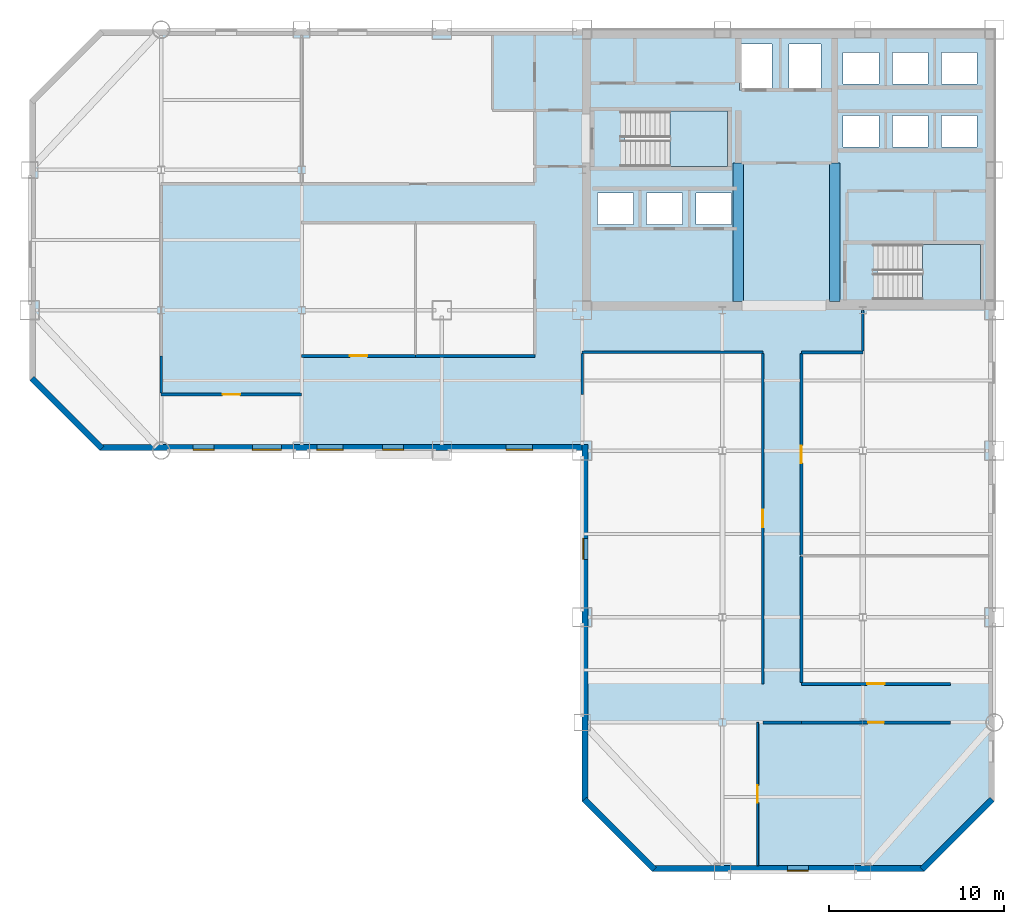
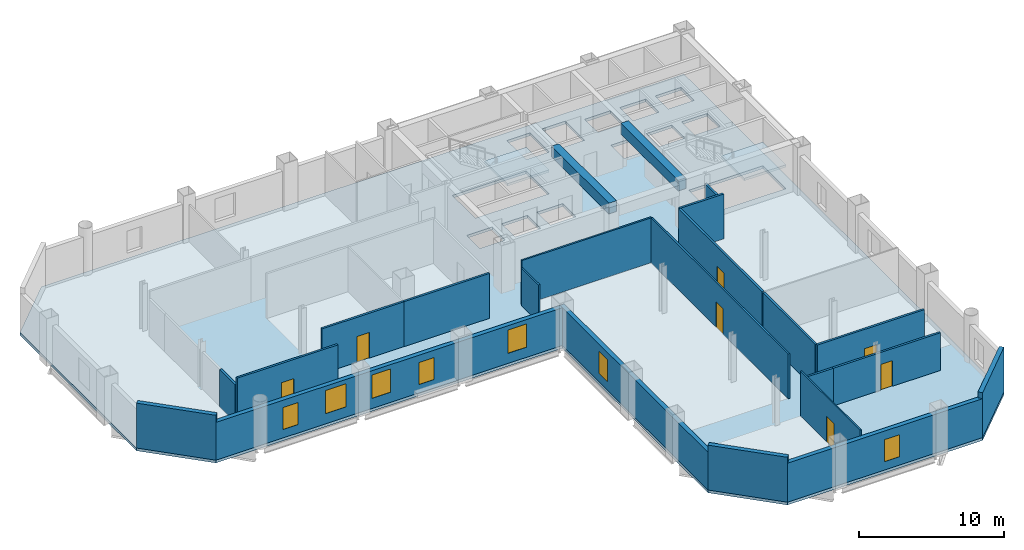
# One storey, part 5 of 9: 21 walls, 7 doors, 7 windows, 3 slabs, 2 beams, 14 openings, 2 elements without a shape of their own.
"""IFC4 building model written with IfcOpenShell, lengths in metres."""

import ifcopenshell
import ifcopenshell.guid

model = None  # the IFC model being written
_history = None  # IfcOwnerHistory: only IFC2X3 demands one
_inside = {}  # id of a spatial element -> (the spatial element, [elements in it])
_under = {}  # id of a project, library or spatial element -> (it, [spatial elements below it])
_declared = {}  # id of a project -> (the project, [libraries it declares])
_typed = {}  # id of a type object -> (the type object, [elements of that type])
_made_of = {}  # id of a material, layer set ... -> (it, [elements and type objects made of it])


def new_model(schema):
    """Start an empty IFC model of exactly this schema.

    Asked for "IFC4X3", IfcOpenShell would pick the latest addendum, in which some entities
    have other attributes; the version numbers below select the first issue.
    IFC2X3 requires an IfcOwnerHistory on every rooted entity: one is made here for all.
    """
    global model, _history
    if schema == "IFC4X3":
        model = ifcopenshell.file(schema_version=(4, 3, 0, 0))
    else:
        model = ifcopenshell.file(schema=schema)
    _inside.clear()
    _under.clear()
    _declared.clear()
    _typed.clear()
    _made_of.clear()
    _history = None
    if model.schema == "IFC2X3":
        org = make("IfcOrganization", Name="unknown")
        user = make(
            "IfcPersonAndOrganization",
            ThePerson=make("IfcPerson", FamilyName="unknown"),
            TheOrganization=org,
        )
        app = make(
            "IfcApplication",
            ApplicationDeveloper=org,
            Version="unknown",
            ApplicationFullName="unknown",
            ApplicationIdentifier="unknown",
        )
        _history = make(
            "IfcOwnerHistory",
            OwningUser=user,
            OwningApplication=app,
            ChangeAction="ADDED",
            CreationDate=0,
        )
    return model


def make(cls, **values):
    """One entity of the class cls with the attributes given. An attribute that is None is left unset."""
    return model.create_entity(
        cls, **{name: value for name, value in values.items() if value is not None}
    )


def rooted(cls, **values):
    """An entity with a GlobalId (a new one), such as an element, a storey or a relation."""
    return make(cls, GlobalId=ifcopenshell.guid.new(), OwnerHistory=_history, **values)


def si_unit(unit_type, name, prefix=None):
    """IfcSIUnit, for example si_unit("LENGTHUNIT", "METRE", prefix="MILLI")."""
    return make("IfcSIUnit", UnitType=unit_type, Prefix=prefix, Name=name)


def assignment(units):
    """IfcUnitAssignment: the units of a project."""
    return None if units is None else make("IfcUnitAssignment", Units=units)


def point(xyz):
    """IfcCartesianPoint."""
    return None if xyz is None else make("IfcCartesianPoint", Coordinates=xyz)


def direction(xyz):
    """IfcDirection."""
    return None if xyz is None else make("IfcDirection", DirectionRatios=xyz)


def frame(location, z_axis=None, x_axis=None):
    """IfcAxis2Placement3D, a coordinate frame: its origin and axes. An axis left out is left unset."""
    return make(
        "IfcAxis2Placement3D",
        Location=point(location),
        Axis=direction(z_axis),
        RefDirection=direction(x_axis),
    )


def frame_2d(location, x_axis=None):
    """IfcAxis2Placement2D, a coordinate frame in the plane: its origin and x axis."""
    return make(
        "IfcAxis2Placement2D", Location=point(location), RefDirection=direction(x_axis)
    )


def origin():
    """The frame at (0, 0, 0) with its axes left unset."""
    return frame((0.0, 0.0, 0.0))


def origin_2d():
    """The frame at (0, 0) in the plane with its x axis left unset."""
    return frame_2d((0.0, 0.0))


def place(relative_to, where):
    """IfcLocalPlacement: puts the frame where relative to a parent placement (None: the world)."""
    return make(
        "IfcLocalPlacement", PlacementRelTo=relative_to, RelativePlacement=where
    )


def context(
    kind, dimensions, precision=None, world=None, true_north=None, identifier=None
):
    """IfcGeometricRepresentationContext, for example the 3D "Model" context."""
    return make(
        "IfcGeometricRepresentationContext",
        ContextIdentifier=identifier,
        ContextType=kind,
        CoordinateSpaceDimension=dimensions,
        Precision=precision,
        WorldCoordinateSystem=world,
        TrueNorth=true_north,
    )


def subcontext(parent, identifier, kind, view, scale=None):
    """IfcGeometricRepresentationSubContext, for example "Body" below "Model"."""
    return make(
        "IfcGeometricRepresentationSubContext",
        ContextIdentifier=identifier,
        ContextType=kind,
        ParentContext=parent,
        TargetScale=scale,
        TargetView=view,
    )


def project(units=None, contexts=None):
    """IfcProject with its units and contexts."""
    return rooted(
        "IfcProject",
        Name="project",
        RepresentationContexts=contexts,
        UnitsInContext=assignment(units),
    )


def spatial(cls, under=None, at=None, **own):
    """A site, building, storey or space (cls), placed at a placement, below another one or the project."""
    s = rooted(cls, ObjectPlacement=at, **own)
    if under is not None:
        _under.setdefault(under.id(), (under, []))[1].append(s)
    return s


def polyline(points):
    """IfcPolyline through the points."""
    return make("IfcPolyline", Points=[point(p) for p in points])


def profile(cls, at=None, kind="AREA", **sizes):
    """A parametric profile (cls). Its sizes go by their IFC names, for example OverallWidth=200.0."""
    return make(cls, ProfileType=kind, Position=at, **sizes)


def rectangle(**sizes):
    """IfcRectangleProfileDef."""
    return profile("IfcRectangleProfileDef", **sizes)


def outline(outer, holes=None, kind="AREA"):
    """IfcArbitraryClosedProfileDef: a profile drawn as a closed curve; with holes, ...WithVoids."""
    if holes is None:
        return make("IfcArbitraryClosedProfileDef", ProfileType=kind, OuterCurve=outer)
    return make(
        "IfcArbitraryProfileDefWithVoids",
        ProfileType=kind,
        OuterCurve=outer,
        InnerCurves=holes,
    )


def extrude(swept, where, along, depth):
    """IfcExtrudedAreaSolid: the profile swept, set in the frame where, extruded along a direction by depth."""
    return make(
        "IfcExtrudedAreaSolid",
        SweptArea=swept,
        Position=where,
        ExtrudedDirection=direction(along),
        Depth=depth,
    )


def shape(context_of_items, identifier, shape_type, items):
    """IfcShapeRepresentation: the items that make up one representation, for example the "Body"."""
    return make(
        "IfcShapeRepresentation",
        ContextOfItems=context_of_items,
        RepresentationIdentifier=identifier,
        RepresentationType=shape_type,
        Items=items,
    )


def material(Name=None, Category=None):
    """IfcMaterial."""
    return make("IfcMaterial", Name=Name, Category=Category)


def layer(
    of_material, thickness, ventilated=None, Name=None, Category=None, Priority=None
):
    """IfcMaterialLayer: one layer of a wall or slab, of a material (None: an air gap)."""
    return make(
        "IfcMaterialLayer",
        Material=of_material,
        LayerThickness=thickness,
        IsVentilated=ventilated,
        Name=Name,
        Category=Category,
        Priority=Priority,
    )


def layer_set(layers, Name=None):
    """IfcMaterialLayerSet."""
    return make("IfcMaterialLayerSet", MaterialLayers=layers, LayerSetName=Name)


def material_profile(
    of_material, cross_section, Name=None, Category=None, Priority=None
):
    """IfcMaterialProfile: a cross section and its material."""
    return make(
        "IfcMaterialProfile",
        Name=Name,
        Material=of_material,
        Profile=cross_section,
        Priority=Priority,
        Category=Category,
    )


def profile_set(profiles, Name=None, composite=None):
    """IfcMaterialProfileSet."""
    return make(
        "IfcMaterialProfileSet",
        Name=Name,
        MaterialProfiles=profiles,
        CompositeProfile=composite,
    )


def made_of(thing, what):
    """Note that an element or type object is made of a material, layer set ...; save() writes the relation."""
    if what is not None:
        _made_of.setdefault(what.id(), (what, []))[1].append(thing)
    return thing


def type_object(cls, material=None, **own):
    """A type object (cls), such as IfcWallType, which elements share."""
    return made_of(rooted(cls, **own), material)


def element(
    cls,
    number,
    at=None,
    inside=None,
    cuts=None,
    type_object=None,
    material=None,
    context=None,
    identifier="Body",
    shape_type=None,
    held_by="IfcProductDefinitionShape",
    body=None,
    shapes=None,
    **own,
):
    """One element of the class cls, such as IfcWall. Its Tag is "e" and its number.

    at: its placement. inside: the storey or other place that contains it. cuts: it is an
    opening in that element (IfcRelVoidsElement). A single representation is given by context,
    identifier, shape_type and body (its items); several are given by shapes. held_by: the class
    of the entity that holds the representations. save() writes the other relations.
    """
    e = rooted(cls, Tag="e%d" % number, ObjectPlacement=at, **own)
    if body is not None:
        shapes = [shape(context, identifier, shape_type, body)]
    if shapes is not None:
        e.Representation = make(held_by, Representations=shapes)
    if inside is not None:
        _inside.setdefault(inside.id(), (inside, []))[1].append(e)
    if cuts is not None:
        rooted(
            "IfcRelVoidsElement", RelatingBuildingElement=cuts, RelatedOpeningElement=e
        )
    if type_object is not None:
        _typed.setdefault(type_object.id(), (type_object, []))[1].append(e)
    return made_of(e, material)


def fill(opening, filler):
    """IfcRelFillsElement: the door or window that sits in an opening."""
    return rooted(
        "IfcRelFillsElement",
        RelatingOpeningElement=opening,
        RelatedBuildingElement=filler,
    )


def aggregate(whole, parts):
    """IfcRelAggregates: a whole, such as a stair, and the parts it consists of."""
    return rooted("IfcRelAggregates", RelatingObject=whole, RelatedObjects=parts)


def save(model, path):
    """Write the relations noted so far, then the file.

    IfcRelAggregates (storeys below a building ...), IfcRelContainedInSpatialStructure (elements
    in a storey), IfcRelDefinesByType, IfcRelAssociatesMaterial and IfcRelDeclares: one each for
    every whole, place, type object, material and project.
    """
    for whole, parts in _under.values():
        aggregate(whole, parts)
    for where, things in _inside.values():
        rooted(
            "IfcRelContainedInSpatialStructure",
            RelatedElements=things,
            RelatingStructure=where,
        )
    for kind, things in _typed.values():
        rooted("IfcRelDefinesByType", RelatedObjects=things, RelatingType=kind)
    for what, things in _made_of.values():
        rooted("IfcRelAssociatesMaterial", RelatedObjects=things, RelatingMaterial=what)
    for by, libraries in _declared.values():
        rooted("IfcRelDeclares", RelatingContext=by, RelatedDefinitions=libraries)
    model.write(path)


model = new_model("IFC4")

# Units and contexts
model_context = context("Model", 3, precision=1e-05, world=origin(), true_north=direction((0.0, 1.0)))
body_context = subcontext(model_context, "Body", "Model", "MODEL_VIEW")
ifc_project = project(units=[si_unit("LENGTHUNIT", "METRE"), si_unit("AREAUNIT", "SQUARE_METRE"), si_unit("VOLUMEUNIT", "CUBIC_METRE"), si_unit("PLANEANGLEUNIT", "RADIAN"), si_unit("MASSUNIT", "GRAM", prefix="KILO")], contexts=[model_context])

# Site, building, storey
site_placement = place(None, origin())
site = spatial("IfcSite", under=ifc_project, at=site_placement, CompositionType="ELEMENT")
building_placement = place(site_placement, origin())
building = spatial("IfcBuilding", under=site, at=building_placement, Name="Qianrong Seaharbour Tower", CompositionType="ELEMENT")
storey_placement = place(building_placement, frame((0.0, 0.0, 147.0)))
storey = spatial("IfcBuildingStorey", under=building, at=storey_placement, Name="L35", CompositionType="ELEMENT", Elevation=147.0)

# Beams
ifc_material_1 = material(Name="Concrete C70/85", Category="concrete")
ifc_material_profile = material_profile(ifc_material_1, rectangle(XDim=0.60009765625, YDim=0.89990234375, at=origin_2d()), Name="RC600x900")
ifc_profile_set = profile_set([ifc_material_profile], Name="Concrete C70/85")
beam_type = type_object("IfcBeamType", Name="BM-LINTEL-900", PredefinedType="LINTEL", material=ifc_profile_set)
for number, where, z_axis, x_axis, name in (
    (1, (49.39990234375, 36.5, 3.31494140625), (0.0, 1.0, 0.0), (-1.0, 0.0, 0.0), "L35 Internal Core Coupling Beam IW1"),
    (2, (54.89990234375, 36.5, 3.31494140625), (0.0, 1.0, 0.0), (-1.0, 0.0, 0.0), "L35 Internal Core Coupling Beam IW2"),
):
    element("IfcBeam", number, at=place(storey_placement, frame(where, z_axis=z_axis, x_axis=x_axis)), inside=storey, type_object=beam_type, Name=name, PredefinedType="LINTEL", context=body_context, shape_type="SweptSolid", body=[
        extrude(rectangle(XDim=0.60009765625, YDim=0.89990234375, at=origin_2d()), origin(), (0.0, 0.0, 1.0), 7.89990234375),
    ])

# Stair, slab
ifc_material_2 = material(Name="Concrete C50/60", Category="concrete")
stair_type = type_object("IfcStairType", Name="STAIR-DOGLEG-1500-R22", PredefinedType="HALF_TURN_STAIR", material=ifc_material_2)
stair_1_placement = place(storey_placement, origin())
stair_1 = element("IfcStair", 3, at=stair_1_placement, inside=storey, type_object=stair_type, Name="L35 Protected Escape Stair ST-1", PredefinedType="HALF_TURN_STAIR")
ifc_layer_1 = layer(ifc_material_2, 0.199951171875)
ifc_layer_set_1 = layer_set([ifc_layer_1], Name="Concrete C50/60")
slab_type_1 = type_object("IfcSlabType", Name="SLAB-STAIR-LANDING-200", PredefinedType="LANDING", material=ifc_layer_set_1)
slab_1_placement = place(storey_placement, frame((0.0, 0.0, 1.800048828125)))
slab_1 = element("IfcSlab", 4, at=slab_1_placement, type_object=slab_type_1, Name="ST-1 landing 1", PredefinedType="LANDING", context=body_context, shape_type="SweptSolid", body=[
    extrude(outline(polyline([(45.5, 44.199951171875), (48.800048828125, 44.199951171875), (48.800048828125, 47.35009765625), (45.5, 47.35009765625), (45.5, 44.199951171875)])), origin(), (0.0, 0.0, 1.0), 0.199951171875),
])
aggregate(stair_1, [slab_1])

stair_2_placement = place(storey_placement, origin())
stair_2 = element("IfcStair", 5, at=stair_2_placement, inside=storey, type_object=stair_type, Name="L35 Protected Escape Stair ST-2", PredefinedType="HALF_TURN_STAIR")
slab_2_placement = place(storey_placement, frame((0.0, 0.0, 1.800048828125)))
slab_2 = element("IfcSlab", 6, at=slab_2_placement, type_object=slab_type_1, Name="ST-2 landing 1", PredefinedType="LANDING", context=body_context, shape_type="SweptSolid", body=[
    extrude(outline(polyline([(59.89990234375, 36.60009765625), (63.199951171875, 36.60009765625), (63.199951171875, 39.75), (59.89990234375, 39.75), (59.89990234375, 36.60009765625)])), origin(), (0.0, 0.0, 1.0), 0.199951171875),
])
aggregate(stair_2, [slab_2])

# Slab
ifc_layer_2 = layer(ifc_material_2, 0.235107421875)
ifc_layer_set_2 = layer_set([ifc_layer_2], Name="Concrete C50/60")
slab_type_2 = type_object("IfcSlabType", Name="SLAB-Z2-235", PredefinedType="FLOOR", material=ifc_layer_set_2)
slab_3_placement = place(storey_placement, frame((0.0, 0.0, -0.235107421875)))
element("IfcSlab", 7, at=slab_3_placement, inside=storey, type_object=slab_type_2, Name="L35 Structural Floor Slab", PredefinedType="FLOOR", context=body_context, shape_type="SweptSolid", body=[
    extrude(outline(polyline([(44.5, 4.0), (60.0, 4.0), (64.0, 8.0), (64.0, 52.0), (13.0, 52.0), (9.0, 48.0), (9.0, 32.0), (13.0, 28.0), (40.5, 28.0), (40.5, 8.0), (44.5, 4.0)]), holes=[polyline([(42.93994140625, 44.199951171875), (42.93994140625, 47.35009765625), (48.800048828125, 47.35009765625), (48.800048828125, 44.199951171875), (42.93994140625, 44.199951171875)]), polyline([(57.340087890625, 36.60009765625), (57.340087890625, 39.75), (63.199951171875, 39.75), (63.199951171875, 36.60009765625), (57.340087890625, 36.60009765625)]), polyline([(49.47998046875, 48.530029296875), (49.47998046875, 51.169921875), (51.320068359375, 51.169921875), (51.320068359375, 48.530029296875), (49.47998046875, 48.530029296875)]), polyline([(52.280029296875, 48.530029296875), (52.280029296875, 51.169921875), (54.1201171875, 51.169921875), (54.1201171875, 48.530029296875), (52.280029296875, 48.530029296875)]), polyline([(41.3798828125, 40.89990234375), (41.3798828125, 42.699951171875), (43.419921875, 42.699951171875), (43.419921875, 40.89990234375), (41.3798828125, 40.89990234375)]), polyline([(44.179931640625, 40.89990234375), (44.179931640625, 42.699951171875), (46.219970703125, 42.699951171875), (46.219970703125, 40.89990234375), (44.179931640625, 40.89990234375)]), polyline([(46.97998046875, 40.89990234375), (46.97998046875, 42.699951171875), (49.02001953125, 42.699951171875), (49.02001953125, 40.89990234375), (46.97998046875, 40.89990234375)]), polyline([(55.3798828125, 45.300048828125), (55.3798828125, 47.10009765625), (57.419921875, 47.10009765625), (57.419921875, 45.300048828125), (55.3798828125, 45.300048828125)]), polyline([(58.179931640625, 45.300048828125), (58.179931640625, 47.10009765625), (60.219970703125, 47.10009765625), (60.219970703125, 45.300048828125), (58.179931640625, 45.300048828125)]), polyline([(60.97998046875, 45.300048828125), (60.97998046875, 47.10009765625), (63.02001953125, 47.10009765625), (63.02001953125, 45.300048828125), (60.97998046875, 45.300048828125)]), polyline([(55.3798828125, 48.89990234375), (55.3798828125, 50.699951171875), (57.419921875, 50.699951171875), (57.419921875, 48.89990234375), (55.3798828125, 48.89990234375)]), polyline([(58.179931640625, 48.89990234375), (58.179931640625, 50.699951171875), (60.219970703125, 50.699951171875), (60.219970703125, 48.89990234375), (58.179931640625, 48.89990234375)]), polyline([(60.97998046875, 48.89990234375), (60.97998046875, 50.699951171875), (63.02001953125, 50.699951171875), (63.02001953125, 48.89990234375), (60.97998046875, 48.89990234375)])]), origin(), (0.0, 0.0, 1.0), 0.235107421875),
])

# Wall, opening, door
ifc_material_3 = material(Name="Fire-rated acoustic gypsum board partition")
ifc_layer_3 = layer(ifc_material_3, 0.1650390625)
ifc_layer_set_3 = layer_set([ifc_layer_3], Name="Fire-rated acoustic gypsum board partition")
wall_type_1 = type_object("IfcWallType", Name="WALL-CORR-PART-165", PredefinedType="PARTITIONING", material=ifc_layer_set_3)
wall_1_placement = place(storey_placement, frame((24.5, 31.199951171875, 0.0), z_axis=(0.0, 0.0, 1.0), x_axis=(-1.0, 0.0, 0.0)))
wall_1 = element("IfcWall", 8, at=wall_1_placement, inside=storey, type_object=wall_type_1, Name="L35 Interior Partition Wall 015", PredefinedType="PARTITIONING", context=body_context, shape_type="SweptSolid", body=[
    extrude(rectangle(XDim=8.0, YDim=0.1650390625, at=frame_2d((4.0, 0.0))), origin(), (0.0, 0.0, 1.0), 3.764892578125),
])
opening_1_placement = place(wall_1_placement, frame((3.5, 0.0, 0.0)))
opening_1 = element("IfcOpeningElement", 9, at=opening_1_placement, cuts=wall_1, Name="Opening DO-01", PredefinedType="OPENING", context=body_context, shape_type="SweptSolid", body=[
    extrude(rectangle(XDim=1.0, YDim=2.14990234375, at=frame_2d((0.5, 1.074951171875))), frame((0.0, 0.092529296875, 0.0), z_axis=(0.0, -1.0, 0.0), x_axis=(1.0, 0.0, 0.0)), (0.0, 0.0, 1.0), 0.18505859375),
])
ifc_material_4 = material(Name="Acoustic timber and galvanized steel fire door assembly", Category="steel")
door_type_1 = type_object("IfcDoorType", Name="DOOR-OFFICE-1000x2150", OperationType="NOTDEFINED", PredefinedType="DOOR", material=ifc_material_4)
door_1_placement = place(opening_1_placement, origin())
door_1 = element("IfcDoor", 10, at=door_1_placement, inside=storey, type_object=door_type_1, Name="L35 West Harbour Open-Plan Office Door", OperationType="SINGLE_SWING_RIGHT", OverallHeight=2.14990234375, OverallWidth=1.0, PredefinedType="DOOR", context=body_context, shape_type="SweptSolid", body=[
    extrude(rectangle(XDim=1.0, YDim=2.14990234375, at=frame_2d((0.5, 1.074951171875))), frame((0.0, 0.02490234375, 0.0), z_axis=(0.0, -1.0, 0.0), x_axis=(1.0, 0.0, 0.0)), (0.0, 0.0, 1.0), 0.050048828125),
])
fill(opening_1, door_1)

# Wall
wall_2_placement = place(storey_placement, frame((16.5, 31.2744140625, 0.0), z_axis=(0.0, 0.0, 1.0), x_axis=(0.0, 1.0, 0.0)))
element("IfcWall", 11, at=wall_2_placement, inside=storey, type_object=wall_type_1, Name="L35 Interior Partition Wall 016", PredefinedType="PARTITIONING", context=body_context, shape_type="SweptSolid", body=[
    extrude(rectangle(XDim=2.12548828125, YDim=0.1650390625, at=frame_2d((1.062744140625, 0.0))), origin(), (0.0, 0.0, 1.0), 3.156982421875),
])

# Wall, opening, door
wall_3_placement = place(storey_placement, frame((24.5, 33.39990234375, 0.0), z_axis=(0.0, 0.0, 1.0), x_axis=(1.0, 0.0, 0.0)))
wall_3 = element("IfcWall", 12, at=wall_3_placement, inside=storey, type_object=wall_type_1, Name="L35 Interior Partition Wall 017", PredefinedType="PARTITIONING", context=body_context, shape_type="SweptSolid", body=[
    extrude(rectangle(XDim=6.5, YDim=0.1650390625, at=frame_2d((3.25, 0.0))), origin(), (0.0, 0.0, 1.0), 3.764892578125),
])
opening_2_placement = place(wall_3_placement, frame((2.75, 0.0, 0.0)))
opening_2 = element("IfcOpeningElement", 13, at=opening_2_placement, cuts=wall_3, Name="Opening DO-01", PredefinedType="OPENING", context=body_context, shape_type="SweptSolid", body=[
    extrude(rectangle(XDim=1.0, YDim=2.14990234375, at=frame_2d((0.5, 1.074951171875))), frame((0.0, 0.092529296875, 0.0), z_axis=(0.0, -1.0, 0.0), x_axis=(1.0, 0.0, 0.0)), (0.0, 0.0, 1.0), 0.18505859375),
])
door_2_placement = place(opening_2_placement, origin())
door_2 = element("IfcDoor", 14, at=door_2_placement, inside=storey, type_object=door_type_1, Name="L35 Project Library 1 Door", OperationType="SINGLE_SWING_RIGHT", OverallHeight=2.14990234375, OverallWidth=1.0, PredefinedType="DOOR", context=body_context, shape_type="SweptSolid", body=[
    extrude(rectangle(XDim=1.0, YDim=2.14990234375, at=frame_2d((0.5, 1.074951171875))), frame((0.0, 0.02490234375, 0.0), z_axis=(0.0, -1.0, 0.0), x_axis=(1.0, 0.0, 0.0)), (0.0, 0.0, 1.0), 0.050048828125),
])
fill(opening_2, door_2)

# Walls
wall_4_placement = place(storey_placement, frame((31.0, 33.39990234375, 0.0), z_axis=(0.0, 0.0, 1.0), x_axis=(1.0, 0.0, 0.0)))
element("IfcWall", 15, at=wall_4_placement, inside=storey, type_object=wall_type_1, Name="L35 Interior Partition Wall 018", PredefinedType="PARTITIONING", context=body_context, shape_type="SweptSolid", body=[
    extrude(rectangle(XDim=6.800048828125, YDim=0.1650390625, at=frame_2d((3.39990234375, 0.0))), origin(), (0.0, 0.0, 1.0), 3.764892578125),
])
wall_5_placement = place(storey_placement, frame((56.5, 36.0, 0.0), z_axis=(0.0, 0.0, 1.0), x_axis=(0.0, -1.0, 0.0)))
element("IfcWall", 16, at=wall_5_placement, inside=storey, type_object=wall_type_1, Name="L35 Interior Partition Wall 028", PredefinedType="PARTITIONING", context=body_context, shape_type="SweptSolid", body=[
    extrude(rectangle(XDim=2.325439453125, YDim=0.1650390625, at=frame_2d((1.16259765625, 0.0))), origin(), (0.0, 0.0, 1.0), 3.156982421875),
])
wall_6_placement = place(storey_placement, frame((56.5, 33.60009765625, 0.0), z_axis=(0.0, 0.0, 1.0), x_axis=(-1.0, 0.0, 0.0)))
element("IfcWall", 17, at=wall_6_placement, inside=storey, type_object=wall_type_1, Name="L35 Interior Partition Wall 029", PredefinedType="PARTITIONING", context=body_context, shape_type="SweptSolid", body=[
    extrude(rectangle(XDim=3.5, YDim=0.1650390625, at=frame_2d((1.75, 0.0))), origin(), (0.0, 0.0, 1.0), 3.764892578125),
])

# Wall, opening, door
wall_7_placement = place(storey_placement, frame((53.0, 33.525390625, 0.0), z_axis=(0.0, 0.0, 1.0), x_axis=(0.0, -1.0, 0.0)))
wall_7 = element("IfcWall", 18, at=wall_7_placement, inside=storey, type_object=wall_type_1, Name="L35 Interior Partition Wall 031", PredefinedType="PARTITIONING", context=body_context, shape_type="SweptSolid", body=[
    extrude(rectangle(XDim=11.478271484375, YDim=0.1650390625, at=frame_2d((5.7392578125, 0.0))), origin(), (0.0, 0.0, 1.0), 3.764892578125),
])
opening_3_placement = place(wall_7_placement, frame((5.2392578125, 0.0, 0.0)))
opening_3 = element("IfcOpeningElement", 19, at=opening_3_placement, cuts=wall_7, Name="Opening DO-01", PredefinedType="OPENING", context=body_context, shape_type="SweptSolid", body=[
    extrude(rectangle(XDim=1.0, YDim=2.14990234375, at=frame_2d((0.5, 1.074951171875))), frame((0.0, 0.092529296875, 0.0), z_axis=(0.0, -1.0, 0.0), x_axis=(1.0, 0.0, 0.0)), (0.0, 0.0, 1.0), 0.18505859375),
])
door_3_placement = place(opening_3_placement, origin())
door_3 = element("IfcDoor", 20, at=door_3_placement, inside=storey, type_object=door_type_1, Name="L35 Staff Club Assembly Hall Door", OperationType="SINGLE_SWING_RIGHT", OverallHeight=2.14990234375, OverallWidth=1.0, PredefinedType="DOOR", context=body_context, shape_type="SweptSolid", body=[
    extrude(rectangle(XDim=1.0, YDim=2.14990234375, at=frame_2d((0.5, 1.074951171875))), frame((0.0, 0.02490234375, 0.0), z_axis=(0.0, -1.0, 0.0), x_axis=(1.0, 0.0, 0.0)), (0.0, 0.0, 1.0), 0.050048828125),
])
fill(opening_3, door_3)

# Walls
wall_8_placement = place(storey_placement, frame((53.0, 21.952880859375, 0.0), z_axis=(0.0, 0.0, 1.0), x_axis=(0.0, -1.0, 0.0)))
element("IfcWall", 21, at=wall_8_placement, inside=storey, type_object=wall_type_1, Name="L35 Interior Partition Wall 032", PredefinedType="PARTITIONING", context=body_context, shape_type="SweptSolid", body=[
    extrude(rectangle(XDim=7.178466796875, YDim=0.1650390625, at=frame_2d((3.58935546875, 0.0))), origin(), (0.0, 0.0, 1.0), 3.764892578125),
])
wall_9_placement = place(storey_placement, frame((53.0, 12.5, 0.0), z_axis=(0.0, 0.0, 1.0), x_axis=(-1.0, 0.0, 0.0)))
element("IfcWall", 22, at=wall_9_placement, inside=storey, type_object=wall_type_1, Name="L35 Interior Partition Wall 034", PredefinedType="PARTITIONING", context=body_context, shape_type="SweptSolid", body=[
    extrude(rectangle(XDim=2.199951171875, YDim=0.1650390625, at=frame_2d((1.10009765625, 0.0))), origin(), (0.0, 0.0, 1.0), 3.156982421875),
])

# Wall, opening, door
wall_10_placement = place(storey_placement, frame((53.0, 14.699951171875, 0.0), z_axis=(0.0, 0.0, 1.0), x_axis=(1.0, 0.0, 0.0)))
wall_10 = element("IfcWall", 23, at=wall_10_placement, inside=storey, type_object=wall_type_1, Name="L35 Interior Partition Wall 035", PredefinedType="PARTITIONING", context=body_context, shape_type="SweptSolid", body=[
    extrude(rectangle(XDim=8.5, YDim=0.1650390625, at=frame_2d((4.25, 0.0))), origin(), (0.0, 0.0, 1.0), 3.764892578125),
])
opening_4_placement = place(wall_10_placement, frame((3.75, 0.0, 0.0)))
opening_4 = element("IfcOpeningElement", 24, at=opening_4_placement, cuts=wall_10, Name="Opening DO-01", PredefinedType="OPENING", context=body_context, shape_type="SweptSolid", body=[
    extrude(rectangle(XDim=1.0, YDim=2.14990234375, at=frame_2d((0.5, 1.074951171875))), frame((0.0, 0.092529296875, 0.0), z_axis=(0.0, -1.0, 0.0), x_axis=(1.0, 0.0, 0.0)), (0.0, 0.0, 1.0), 0.18505859375),
])
door_4_placement = place(opening_4_placement, origin())
door_4 = element("IfcDoor", 25, at=door_4_placement, inside=storey, type_object=door_type_1, Name="L35 Focus Room 1 Door", OperationType="SINGLE_SWING_LEFT", OverallHeight=2.14990234375, OverallWidth=1.0, PredefinedType="DOOR", context=body_context, shape_type="SweptSolid", body=[
    extrude(rectangle(XDim=1.0, YDim=2.14990234375, at=frame_2d((0.5, 1.074951171875))), frame((0.0, 0.02490234375, 0.0), z_axis=(0.0, -1.0, 0.0), x_axis=(1.0, 0.0, 0.0)), (0.0, 0.0, 1.0), 0.050048828125),
])
fill(opening_4, door_4)

wall_11_placement = place(storey_placement, frame((61.5, 12.5, 0.0), z_axis=(0.0, 0.0, 1.0), x_axis=(-1.0, 0.0, 0.0)))
wall_11 = element("IfcWall", 26, at=wall_11_placement, inside=storey, type_object=wall_type_1, Name="L35 Interior Partition Wall 036", PredefinedType="PARTITIONING", context=body_context, shape_type="SweptSolid", body=[
    extrude(rectangle(XDim=8.5, YDim=0.1650390625, at=frame_2d((4.25, 0.0))), origin(), (0.0, 0.0, 1.0), 3.156982421875),
])
opening_5_placement = place(wall_11_placement, frame((3.800048828125, 0.0, 0.0)))
opening_5 = element("IfcOpeningElement", 27, at=opening_5_placement, cuts=wall_11, Name="Opening DS-01", PredefinedType="OPENING", context=body_context, shape_type="SweptSolid", body=[
    extrude(rectangle(XDim=0.89990234375, YDim=2.14990234375, at=frame_2d((0.449951171875, 1.074951171875))), frame((0.0, 0.092529296875, 0.0), z_axis=(0.0, -1.0, 0.0), x_axis=(1.0, 0.0, 0.0)), (0.0, 0.0, 1.0), 0.18505859375),
])
door_type_2 = type_object("IfcDoorType", Name="DOOR-STORE-900x2150", OperationType="NOTDEFINED", PredefinedType="DOOR", material=ifc_material_4)
door_5_placement = place(opening_5_placement, origin())
door_5 = element("IfcDoor", 28, at=door_5_placement, inside=storey, type_object=door_type_2, Name="L35 Corporate Archive Room 2 Door", OperationType="SINGLE_SWING_RIGHT", OverallHeight=2.14990234375, OverallWidth=0.89990234375, PredefinedType="DOOR", context=body_context, shape_type="SweptSolid", body=[
    extrude(rectangle(XDim=0.89990234375, YDim=2.14990234375, at=frame_2d((0.449951171875, 1.074951171875))), frame((0.0, 0.02490234375, 0.0), z_axis=(0.0, -1.0, 0.0), x_axis=(1.0, 0.0, 0.0)), (0.0, 0.0, 1.0), 0.050048828125),
])
fill(opening_5, door_5)

ifc_material_5 = material(Name="Demountable aluminium-framed acoustic office partition", Category="aluminium")
ifc_layer_4 = layer(ifc_material_5, 0.110107421875)
ifc_layer_set_4 = layer_set([ifc_layer_4], Name="Demountable aluminium-framed acoustic office partition")
wall_type_2 = type_object("IfcWallType", Name="WALL-DEMOUNT-110", PredefinedType="MOVABLE", material=ifc_layer_set_4)
wall_12_placement = place(storey_placement, frame((50.5, 12.5, 0.0), z_axis=(0.0, 0.0, 1.0), x_axis=(0.0, -1.0, 0.0)))
wall_12 = element("IfcWall", 29, at=wall_12_placement, inside=storey, type_object=wall_type_2, Name="L35 Interior Partition Wall 040", PredefinedType="MOVABLE", context=body_context, shape_type="SweptSolid", body=[
    extrude(rectangle(XDim=8.16796875, YDim=0.110107421875, at=frame_2d((4.083984375, 0.0))), origin(), (0.0, 0.0, 1.0), 3.764892578125),
])
opening_6_placement = place(wall_12_placement, frame((3.583984375, 0.0, 0.0)))
opening_6 = element("IfcOpeningElement", 30, at=opening_6_placement, cuts=wall_12, Name="Opening DO-01", PredefinedType="OPENING", context=body_context, shape_type="SweptSolid", body=[
    extrude(rectangle(XDim=1.0, YDim=2.14990234375, at=frame_2d((0.5, 1.074951171875))), frame((0.0, 0.06494140625, 0.0), z_axis=(0.0, -1.0, 0.0), x_axis=(1.0, 0.0, 0.0)), (0.0, 0.0, 1.0), 0.130126953125),
])
door_6_placement = place(opening_6_placement, origin())
door_6 = element("IfcDoor", 31, at=door_6_placement, inside=storey, type_object=door_type_1, Name="L35 Harbour Symposium Hall 1 Door", OperationType="SINGLE_SWING_LEFT", OverallHeight=2.14990234375, OverallWidth=1.0, PredefinedType="DOOR", context=body_context, shape_type="SweptSolid", body=[
    extrude(rectangle(XDim=1.0, YDim=2.14990234375, at=frame_2d((0.5, 1.074951171875))), frame((0.0, 0.02490234375, 0.0), z_axis=(0.0, -1.0, 0.0), x_axis=(1.0, 0.0, 0.0)), (0.0, 0.0, 1.0), 0.050048828125),
])
fill(opening_6, door_6)

# Wall, opening, window
ifc_material_6 = material(Name="Unitised buff brick on Precast concrete C45/55", Category="masonry")
ifc_layer_5 = layer(ifc_material_6, 0.340087890625)
ifc_layer_set_5 = layer_set([ifc_layer_5], Name="Unitised buff brick on Precast concrete C45/55")
wall_type_3 = type_object("IfcWallType", Name="WALL-EXT-BRICK-BUFF-340", PredefinedType="SOLIDWALL", material=ifc_layer_set_5)
wall_13_placement = place(storey_placement, frame((40.669921875, 8.0, 0.0), z_axis=(0.0, 0.0, 1.0), x_axis=(0.0, 1.0, 0.0)))
wall_13 = element("IfcWall", 32, at=wall_13_placement, inside=storey, type_object=wall_type_3, Name="L35 Exterior Masonry Facade Wall REENTRANT_WEST", PredefinedType="SOLIDWALL", context=body_context, shape_type="SweptSolid", body=[
    extrude(rectangle(XDim=20.340087890625, YDim=0.340087890625, at=frame_2d((10.169921875, 0.0))), origin(), (0.0, 0.0, 1.0), 3.1650390625),
])
opening_7_placement = place(wall_13_placement, frame((13.800048828125, 0.0, 0.699951171875)))
opening_7 = element("IfcOpeningElement", 33, at=opening_7_placement, cuts=wall_13, Name="Opening WN-01", PredefinedType="OPENING", context=body_context, shape_type="SweptSolid", body=[
    extrude(rectangle(XDim=1.199951171875, YDim=1.85009765625, at=frame_2d((0.60009765625, 0.925048828125))), frame((0.0, 0.18017578125, 0.0), z_axis=(0.0, -1.0, 0.0), x_axis=(1.0, 0.0, 0.0)), (0.0, 0.0, 1.0), 0.360107421875),
])
ifc_material_7 = material(Name="Insulated low-e double glazing in thermally broken aluminium 6063-T6 frame", Category="aluminium")
window_type_1 = type_object("IfcWindowType", Name="WIN-PUNCH-1200x1850", PartitioningType="DOUBLE_PANEL_VERTICAL", PredefinedType="WINDOW", material=ifc_material_7)
window_1_placement = place(opening_7_placement, origin())
window_1 = element("IfcWindow", 34, at=window_1_placement, inside=storey, type_object=window_type_1, Name="L35 Deep-Set Punched Window 00.04", OverallHeight=1.85009765625, OverallWidth=1.199951171875, PartitioningType="DOUBLE_PANEL_VERTICAL", PredefinedType="WINDOW", context=body_context, shape_type="SweptSolid", body=[
    extrude(rectangle(XDim=1.199951171875, YDim=1.85009765625, at=frame_2d((0.60009765625, 0.925048828125))), frame((0.0, 0.150146484375, 0.0), z_axis=(0.0, -1.0, 0.0), x_axis=(1.0, 0.0, 0.0)), (0.0, 0.0, 1.0), 0.06005859375),
])
fill(opening_7, window_1)

# Wall, openings, windows
wall_14_placement = place(storey_placement, frame((40.52001953125, 28.169921875, 0.0), z_axis=(0.0, 0.0, 1.0), x_axis=(-1.0, 0.0, 0.0)))
wall_14 = element("IfcWall", 35, at=wall_14_placement, inside=storey, type_object=wall_type_3, Name="L35 Exterior Masonry Facade Wall HARBOUR_RIBBON", PredefinedType="SOLIDWALL", context=body_context, shape_type="SweptSolid", body=[
    extrude(rectangle(XDim=27.52001953125, YDim=0.340087890625, at=frame_2d((13.760009765625, 0.0))), origin(), (0.0, 0.0, 1.0), 3.1650390625),
])
opening_8_placement = place(wall_14_placement, frame((2.85009765625, 0.0, 0.85009765625)))
opening_8 = element("IfcOpeningElement", 36, at=opening_8_placement, cuts=wall_14, Name="Opening WN-03", PredefinedType="OPENING", context=body_context, shape_type="SweptSolid", body=[
    extrude(rectangle(XDim=1.5, YDim=1.949951171875, at=frame_2d((0.75, 0.97509765625))), frame((0.0, 0.18017578125, 0.0), z_axis=(0.0, -1.0, 0.0), x_axis=(1.0, 0.0, 0.0)), (0.0, 0.0, 1.0), 0.360107421875),
])
opening_9_placement = place(wall_14_placement, frame((10.199951171875, 0.0, 0.699951171875)))
opening_9 = element("IfcOpeningElement", 37, at=opening_9_placement, cuts=wall_14, Name="Opening WN-01", PredefinedType="OPENING", context=body_context, shape_type="SweptSolid", body=[
    extrude(rectangle(XDim=1.199951171875, YDim=1.85009765625, at=frame_2d((0.60009765625, 0.925048828125))), frame((0.0, 0.18017578125, 0.0), z_axis=(0.0, -1.0, 0.0), x_axis=(1.0, 0.0, 0.0)), (0.0, 0.0, 1.0), 0.360107421875),
])
opening_10_placement = place(wall_14_placement, frame((13.64990234375, 0.0, 0.85009765625)))
opening_10 = element("IfcOpeningElement", 38, at=opening_10_placement, cuts=wall_14, Name="Opening WN-03", PredefinedType="OPENING", context=body_context, shape_type="SweptSolid", body=[
    extrude(rectangle(XDim=1.5, YDim=1.949951171875, at=frame_2d((0.75, 0.97509765625))), frame((0.0, 0.18017578125, 0.0), z_axis=(0.0, -1.0, 0.0), x_axis=(1.0, 0.0, 0.0)), (0.0, 0.0, 1.0), 0.360107421875),
])
opening_11_placement = place(wall_14_placement, frame((17.175048828125, 0.0, 0.85009765625)))
opening_11 = element("IfcOpeningElement", 39, at=opening_11_placement, cuts=wall_14, Name="Opening WN-04", PredefinedType="OPENING", context=body_context, shape_type="SweptSolid", body=[
    extrude(rectangle(XDim=1.64990234375, YDim=1.949951171875, at=frame_2d((0.824951171875, 0.97509765625))), frame((0.0, 0.18017578125, 0.0), z_axis=(0.0, -1.0, 0.0), x_axis=(1.0, 0.0, 0.0)), (0.0, 0.0, 1.0), 0.360107421875),
])
opening_12_placement = place(wall_14_placement, frame((21.0, 0.0, 0.699951171875)))
opening_12 = element("IfcOpeningElement", 40, at=opening_12_placement, cuts=wall_14, Name="Opening WN-01", PredefinedType="OPENING", context=body_context, shape_type="SweptSolid", body=[
    extrude(rectangle(XDim=1.199951171875, YDim=1.85009765625, at=frame_2d((0.60009765625, 0.925048828125))), frame((0.0, 0.18017578125, 0.0), z_axis=(0.0, -1.0, 0.0), x_axis=(1.0, 0.0, 0.0)), (0.0, 0.0, 1.0), 0.360107421875),
])
window_2_placement = place(opening_9_placement, origin())
window_2 = element("IfcWindow", 41, at=window_2_placement, inside=storey, type_object=window_type_1, Name="L35 Deep-Set Punched Window 01.03", OverallHeight=1.85009765625, OverallWidth=1.199951171875, PartitioningType="DOUBLE_PANEL_VERTICAL", PredefinedType="WINDOW", context=body_context, shape_type="SweptSolid", body=[
    extrude(rectangle(XDim=1.199951171875, YDim=1.85009765625, at=frame_2d((0.60009765625, 0.925048828125))), frame((0.0, 0.150146484375, 0.0), z_axis=(0.0, -1.0, 0.0), x_axis=(1.0, 0.0, 0.0)), (0.0, 0.0, 1.0), 0.06005859375),
])
fill(opening_9, window_2)
window_3_placement = place(opening_12_placement, origin())
window_3 = element("IfcWindow", 42, at=window_3_placement, inside=storey, type_object=window_type_1, Name="L35 Deep-Set Punched Window 01.06", OverallHeight=1.85009765625, OverallWidth=1.199951171875, PartitioningType="DOUBLE_PANEL_VERTICAL", PredefinedType="WINDOW", context=body_context, shape_type="SweptSolid", body=[
    extrude(rectangle(XDim=1.199951171875, YDim=1.85009765625, at=frame_2d((0.60009765625, 0.925048828125))), frame((0.0, 0.150146484375, 0.0), z_axis=(0.0, -1.0, 0.0), x_axis=(1.0, 0.0, 0.0)), (0.0, 0.0, 1.0), 0.06005859375),
])
fill(opening_12, window_3)
window_type_2 = type_object("IfcWindowType", Name="WIN-PUNCH-1500x1950", PartitioningType="DOUBLE_PANEL_VERTICAL", PredefinedType="WINDOW", material=ifc_material_7)
window_4_placement = place(opening_8_placement, origin())
window_4 = element("IfcWindow", 43, at=window_4_placement, inside=storey, type_object=window_type_2, Name="L35 Deep-Set Punched Window 01.01", OverallHeight=1.949951171875, OverallWidth=1.5, PartitioningType="DOUBLE_PANEL_VERTICAL", PredefinedType="WINDOW", context=body_context, shape_type="SweptSolid", body=[
    extrude(rectangle(XDim=1.5, YDim=1.949951171875, at=frame_2d((0.75, 0.97509765625))), frame((0.0, 0.150146484375, 0.0), z_axis=(0.0, -1.0, 0.0), x_axis=(1.0, 0.0, 0.0)), (0.0, 0.0, 1.0), 0.06005859375),
])
fill(opening_8, window_4)
window_5_placement = place(opening_10_placement, origin())
window_5 = element("IfcWindow", 44, at=window_5_placement, inside=storey, type_object=window_type_2, Name="L35 Deep-Set Punched Window 01.04", OverallHeight=1.949951171875, OverallWidth=1.5, PartitioningType="DOUBLE_PANEL_VERTICAL", PredefinedType="WINDOW", context=body_context, shape_type="SweptSolid", body=[
    extrude(rectangle(XDim=1.5, YDim=1.949951171875, at=frame_2d((0.75, 0.97509765625))), frame((0.0, 0.150146484375, 0.0), z_axis=(0.0, -1.0, 0.0), x_axis=(1.0, 0.0, 0.0)), (0.0, 0.0, 1.0), 0.06005859375),
])
fill(opening_10, window_5)
window_type_3 = type_object("IfcWindowType", Name="WIN-PUNCH-1650x1950", PartitioningType="DOUBLE_PANEL_VERTICAL", PredefinedType="WINDOW", material=ifc_material_7)
window_6_placement = place(opening_11_placement, origin())
window_6 = element("IfcWindow", 45, at=window_6_placement, inside=storey, type_object=window_type_3, Name="L35 Deep-Set Punched Window 01.05", OverallHeight=1.949951171875, OverallWidth=1.64990234375, PartitioningType="DOUBLE_PANEL_VERTICAL", PredefinedType="WINDOW", context=body_context, shape_type="SweptSolid", body=[
    extrude(rectangle(XDim=1.64990234375, YDim=1.949951171875, at=frame_2d((0.824951171875, 0.97509765625))), frame((0.0, 0.150146484375, 0.0), z_axis=(0.0, -1.0, 0.0), x_axis=(1.0, 0.0, 0.0)), (0.0, 0.0, 1.0), 0.06005859375),
])
fill(opening_11, window_6)

# Walls
for number, where, z_axis, x_axis, name in (
    (46, (13.1201171875, 28.1201171875, 0.0), (0.0, 0.0, 1.0), (-0.707106781187, 0.707106781187, 0.0), "L35 Exterior Masonry Facade Wall E02"),
    (47, (63.8798828125, 8.1201171875, 0.0), (0.0, 0.0, 1.0), (-0.707106781187, -0.707106781187, 0.0), "L35 Exterior Masonry Facade Wall E07"),
):
    element("IfcWall", number, at=place(storey_placement, frame(where, z_axis=z_axis, x_axis=x_axis)), inside=storey, type_object=wall_type_3, Name=name, PredefinedType="SOLIDWALL", context=body_context, shape_type="SweptSolid", body=[
        extrude(rectangle(XDim=5.65673828125, YDim=0.340087890625, at=frame_2d((2.828369140625, 0.0))), origin(), (0.0, 0.0, 1.0), 3.764892578125),
    ])

# Wall, opening, window
wall_15_placement = place(storey_placement, frame((60.0, 4.169921875, 0.0), z_axis=(0.0, 0.0, 1.0), x_axis=(-1.0, 0.0, 0.0)))
wall_15 = element("IfcWall", 48, at=wall_15_placement, inside=storey, type_object=wall_type_3, Name="L35 Exterior Masonry Facade Wall SOUTH_TIP", PredefinedType="SOLIDWALL", context=body_context, shape_type="SweptSolid", body=[
    extrude(rectangle(XDim=15.5, YDim=0.340087890625, at=frame_2d((7.75, 0.0))), origin(), (0.0, 0.0, 1.0), 3.264892578125),
])
opening_13_placement = place(wall_15_placement, frame((6.60009765625, 0.0, 0.699951171875)))
opening_13 = element("IfcOpeningElement", 49, at=opening_13_placement, cuts=wall_15, Name="Opening WN-01", PredefinedType="OPENING", context=body_context, shape_type="SweptSolid", body=[
    extrude(rectangle(XDim=1.199951171875, YDim=1.85009765625, at=frame_2d((0.60009765625, 0.925048828125))), frame((0.0, 0.18017578125, 0.0), z_axis=(0.0, -1.0, 0.0), x_axis=(1.0, 0.0, 0.0)), (0.0, 0.0, 1.0), 0.360107421875),
])
window_7_placement = place(opening_13_placement, origin())
window_7 = element("IfcWindow", 50, at=window_7_placement, inside=storey, type_object=window_type_1, Name="L35 Deep-Set Punched Window 08.02", OverallHeight=1.85009765625, OverallWidth=1.199951171875, PartitioningType="DOUBLE_PANEL_VERTICAL", PredefinedType="WINDOW", context=body_context, shape_type="SweptSolid", body=[
    extrude(rectangle(XDim=1.199951171875, YDim=1.85009765625, at=frame_2d((0.60009765625, 0.925048828125))), frame((0.0, 0.150146484375, 0.0), z_axis=(0.0, -1.0, 0.0), x_axis=(1.0, 0.0, 0.0)), (0.0, 0.0, 1.0), 0.06005859375),
])
fill(opening_13, window_7)

# Walls
wall_16_placement = place(storey_placement, frame((44.6201171875, 4.1201171875, 0.0), z_axis=(0.0, 0.0, 1.0), x_axis=(-0.707106781187, 0.707106781187, 0.0)))
element("IfcWall", 51, at=wall_16_placement, inside=storey, type_object=wall_type_3, Name="L35 Exterior Masonry Facade Wall E09", PredefinedType="SOLIDWALL", context=body_context, shape_type="SweptSolid", body=[
    extrude(rectangle(XDim=5.65673828125, YDim=0.340087890625, at=frame_2d((2.828369140625, 0.0))), origin(), (0.0, 0.0, 1.0), 3.764892578125),
])
ifc_material_8 = material(Name="Water-resistant cement board sanitary partition")
ifc_layer_6 = layer(ifc_material_8, 0.1298828125)
ifc_layer_set_6 = layer_set([ifc_layer_6], Name="Water-resistant cement board sanitary partition")
wall_type_4 = type_object("IfcWallType", Name="WALL-WET-PART-130", PredefinedType="PARTITIONING", material=ifc_layer_set_6)
wall_17_placement = place(storey_placement, frame((40.5, 33.54296875, 0.0), z_axis=(0.0, 0.0, 1.0), x_axis=(0.0, -1.0, 0.0)))
element("IfcWall", 52, at=wall_17_placement, inside=storey, type_object=wall_type_4, Name="L35 Interior Partition Wall 027", PredefinedType="PARTITIONING", context=body_context, shape_type="SweptSolid", body=[
    extrude(rectangle(XDim=2.343017578125, YDim=0.1298828125, at=frame_2d((1.17138671875, 0.0))), origin(), (0.0, 0.0, 1.0), 3.156982421875),
])
wall_18_placement = place(storey_placement, frame((50.800048828125, 33.60009765625, 0.0), z_axis=(0.0, 0.0, 1.0), x_axis=(-1.0, 0.0, 0.0)))
element("IfcWall", 53, at=wall_18_placement, inside=storey, type_object=wall_type_4, Name="L35 Interior Partition Wall 030", PredefinedType="PARTITIONING", context=body_context, shape_type="SweptSolid", body=[
    extrude(rectangle(XDim=10.300048828125, YDim=0.1298828125, at=frame_2d((5.14990234375, 0.0))), origin(), (0.0, 0.0, 1.0), 3.764892578125),
])

# Wall, opening, door
wall_19_placement = place(storey_placement, frame((50.800048828125, 14.699951171875, 0.0), z_axis=(0.0, 0.0, 1.0), x_axis=(0.0, 1.0, 0.0)))
wall_19 = element("IfcWall", 54, at=wall_19_placement, inside=storey, type_object=wall_type_4, Name="L35 Interior Partition Wall 033", PredefinedType="PARTITIONING", context=body_context, shape_type="SweptSolid", body=[
    extrude(rectangle(XDim=18.843017578125, YDim=0.1298828125, at=frame_2d((9.42138671875, 0.0))), origin(), (0.0, 0.0, 1.0), 3.764892578125),
])
opening_14_placement = place(wall_19_placement, frame((8.92138671875, 0.0, 0.0)))
opening_14 = element("IfcOpeningElement", 55, at=opening_14_placement, cuts=wall_19, Name="Opening DO-01", PredefinedType="OPENING", context=body_context, shape_type="SweptSolid", body=[
    extrude(rectangle(XDim=1.0, YDim=2.14990234375, at=frame_2d((0.5, 1.074951171875))), frame((0.0, 0.074951171875, 0.0), z_axis=(0.0, -1.0, 0.0), x_axis=(1.0, 0.0, 0.0)), (0.0, 0.0, 1.0), 0.14990234375),
])
door_7_placement = place(opening_14_placement, origin())
door_7 = element("IfcDoor", 56, at=door_7_placement, inside=storey, type_object=door_type_1, Name="L35 Wet Pantry Door", OperationType="SINGLE_SWING_RIGHT", OverallHeight=2.14990234375, OverallWidth=1.0, PredefinedType="DOOR", context=body_context, shape_type="SweptSolid", body=[
    extrude(rectangle(XDim=1.0, YDim=2.14990234375, at=frame_2d((0.5, 1.074951171875))), frame((0.0, 0.02490234375, 0.0), z_axis=(0.0, -1.0, 0.0), x_axis=(1.0, 0.0, 0.0)), (0.0, 0.0, 1.0), 0.050048828125),
])
fill(opening_14, door_7)

save(model, "model.ifc")
